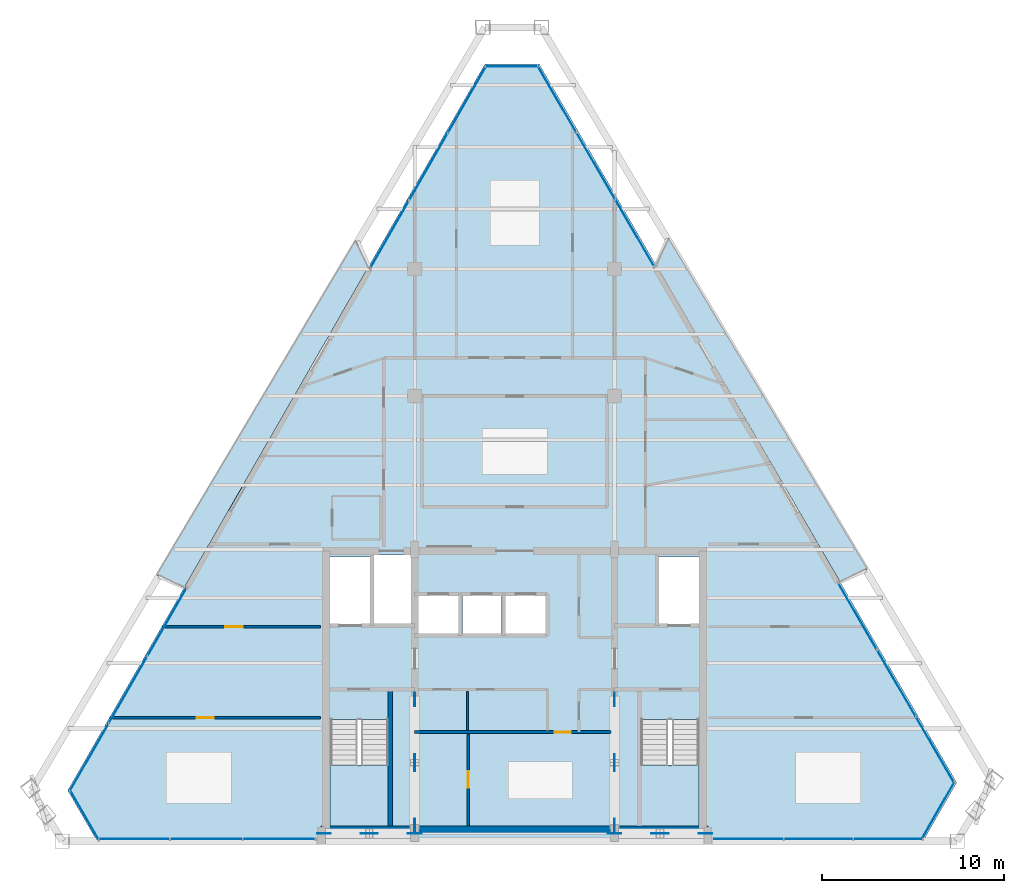
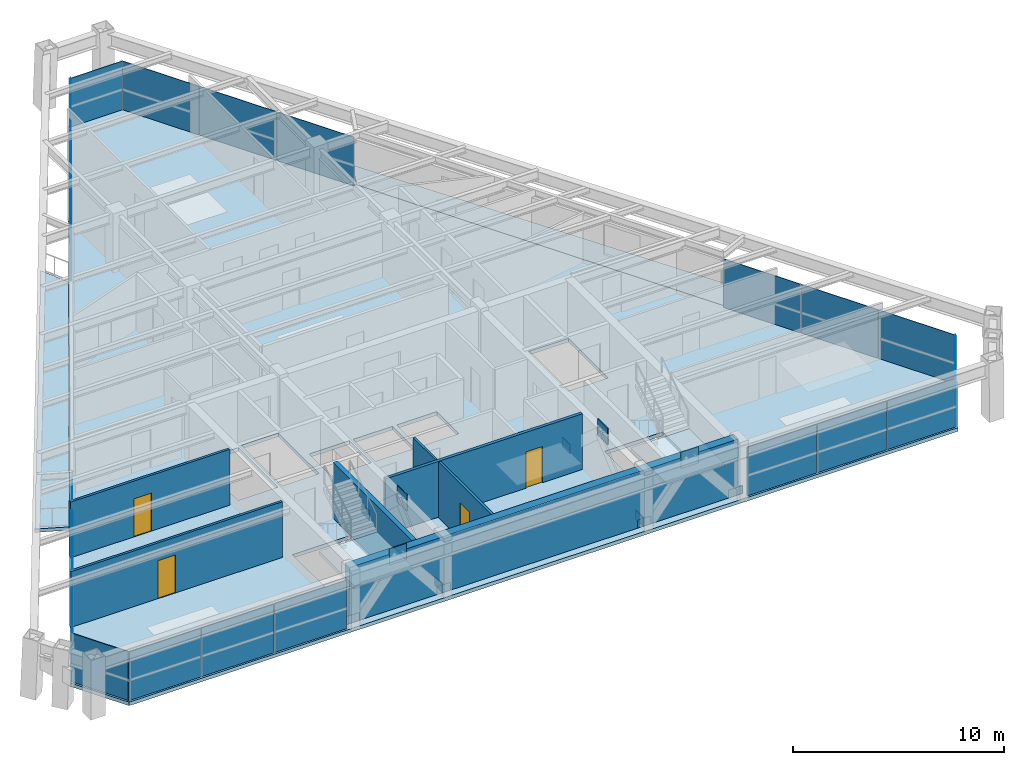
# One storey, part 8 of 13: 33 plates, 7 walls, 5 slabs, 4 doors, 4 openings, 11 elements without a shape of their own.
"""IFC4 building model written with IfcOpenShell, lengths in metres."""

from ifc_helpers import new_model, si_unit, direction, frame, frame_2d, origin, origin_2d, place, context, subcontext, project, spatial, polyline, rectangle, outline, extrude, source, transform, mapped, material, layer, layer_set, type_object, type_shapes, element, fill, aggregate, save


model = new_model("IFC4")

# Units and contexts
model_context = context("Model", 3, precision=1e-05, world=origin(), true_north=direction((0.0, 1.0)))
body_context = subcontext(model_context, "Body", "Model", "MODEL_VIEW")
ifc_project = project(units=[si_unit("LENGTHUNIT", "METRE"), si_unit("AREAUNIT", "SQUARE_METRE"), si_unit("VOLUMEUNIT", "CUBIC_METRE"), si_unit("PLANEANGLEUNIT", "RADIAN"), si_unit("MASSUNIT", "GRAM", prefix="KILO")], contexts=[model_context])

# Site, building, storey
site_placement = place(None, origin())
site = spatial("IfcSite", under=ifc_project, at=site_placement, CompositionType="ELEMENT")
building_placement = place(site_placement, origin())
building = spatial("IfcBuilding", under=site, at=building_placement, Name="Varnakhor Terracotta Tower", CompositionType="ELEMENT")
storey_placement = place(building_placement, frame((0.0, 0.0, 290.25)))
storey = spatial("IfcBuildingStorey", under=building, at=storey_placement, Name="L76", CompositionType="ELEMENT", Elevation=290.25)

# Slab
ifc_material_1 = material(Name="Concrete C40/50", Category="concrete")
ifc_layer_1 = layer(ifc_material_1, 0.2099609375, Name="Concrete C40/50")
ifc_layer_set_1 = layer_set([ifc_layer_1], Name="Concrete C40/50")
slab_type_1 = type_object("IfcSlabType", Name="SLB-HTL-210", PredefinedType="FLOOR", material=ifc_layer_set_1)
slab_1_placement = place(storey_placement, frame((0.0, 0.0, -0.2099609375)))
element("IfcSlab", 1, at=slab_1_placement, inside=storey, type_object=slab_type_1, Name="L76 Structural Floor Slab", PredefinedType="FLOOR", context=body_context, shape_type="SweptSolid", body=[
    extrude(outline(polyline([(-24.601318359375, 2.79248046875), (-1.6435546875, 42.765380859375), (1.3544921875, 42.765380859375), (24.330078125, 3.22705078125), (22.476806640625, 0.0), (-22.978759765625, 0.0), (-24.601318359375, 2.79248046875)]), holes=[polyline([(-6.949951171875, 0.85009765625), (-6.949951171875, 6.695068359375), (-10.14990234375, 6.695068359375), (-10.14990234375, 0.85009765625), (-6.949951171875, 0.85009765625)]), polyline([(10.14990234375, 0.85009765625), (10.14990234375, 6.695068359375), (6.949951171875, 6.695068359375), (6.949951171875, 0.85009765625), (10.14990234375, 0.85009765625)]), polyline([(-3.10009765625, 11.419921875), (-3.10009765625, 13.52001953125), (-5.300048828125, 13.52001953125), (-5.300048828125, 11.419921875), (-3.10009765625, 11.419921875)]), polyline([(-0.719970703125, 11.419921875), (-0.719970703125, 13.52001953125), (-2.8798828125, 13.52001953125), (-2.8798828125, 11.419921875), (-0.719970703125, 11.419921875)]), polyline([(1.699951171875, 11.419921875), (1.699951171875, 13.52001953125), (-0.5, 13.52001953125), (-0.5, 11.419921875), (1.699951171875, 11.419921875)]), polyline([(-7.949951171875, 11.8798828125), (-7.949951171875, 15.64990234375), (-10.14990234375, 15.64990234375), (-10.14990234375, 11.8798828125), (-7.949951171875, 11.8798828125)]), polyline([(10.14990234375, 11.8798828125), (10.14990234375, 15.64990234375), (7.949951171875, 15.64990234375), (7.949951171875, 11.8798828125), (10.14990234375, 11.8798828125)]), polyline([(-5.699951171875, 11.8798828125), (-5.699951171875, 15.75), (-7.72998046875, 15.75), (-7.72998046875, 11.8798828125), (-5.699951171875, 11.8798828125)])]), origin(), (0.0, 0.0, 1.0), 0.2099609375),
])

# Stair, slab
stair_type = type_object("IfcStairType", Name="STR-CORE-HOTEL-1500", PredefinedType="HALF_TURN_STAIR", material=ifc_material_1)
stair_1_placement = place(storey_placement, origin())
stair_1 = element("IfcStair", 2, at=stair_1_placement, inside=storey, type_object=stair_type, Name="L76 Core Exit Stair ST-1", PredefinedType="HALF_TURN_STAIR")
ifc_layer_2 = layer(ifc_material_1, 0.179931640625, Name="Concrete C40/50")
ifc_layer_set_2 = layer_set([ifc_layer_2], Name="Concrete C40/50")
slab_type_2 = type_object("IfcSlabType", Name="SLB-LANDING-180", PredefinedType="LANDING", material=ifc_layer_set_2)
slab_2_placement = place(storey_placement, frame((0.0, 0.0, 1.52490234375)))
slab_2 = element("IfcSlab", 3, at=slab_2_placement, type_object=slab_type_2, Name="ST-1 landing 1", PredefinedType="LANDING", context=body_context, shape_type="SweptSolid", body=[
    extrude(outline(polyline([(-10.14990234375, 4.18994140625), (-10.14990234375, 0.85009765625), (-6.949951171875, 0.85009765625), (-6.949951171875, 4.18994140625), (-10.14990234375, 4.18994140625)])), origin(), (0.0, 0.0, 1.0), 0.2001953125),
])
aggregate(stair_1, [slab_2])

stair_2_placement = place(storey_placement, origin())
stair_2 = element("IfcStair", 4, at=stair_2_placement, inside=storey, type_object=stair_type, Name="L76 Core Exit Stair ST-2", PredefinedType="HALF_TURN_STAIR")
slab_3_placement = place(storey_placement, frame((0.0, 0.0, 1.52490234375)))
slab_3 = element("IfcSlab", 5, at=slab_3_placement, type_object=slab_type_2, Name="ST-2 landing 1", PredefinedType="LANDING", context=body_context, shape_type="SweptSolid", body=[
    extrude(outline(polyline([(6.949951171875, 4.18994140625), (6.949951171875, 0.85009765625), (10.14990234375, 0.85009765625), (10.14990234375, 4.18994140625), (6.949951171875, 4.18994140625)])), origin(), (0.0, 0.0, 1.0), 0.2001953125),
])
aggregate(stair_2, [slab_3])

# Slabs
ifc_layer_3 = layer(ifc_material_1, 0.195068359375, Name="Concrete C40/50")
ifc_layer_set_3 = layer_set([ifc_layer_3], Name="Concrete C40/50")
slab_type_3 = type_object("IfcSlabType", Name="SLB-LOGGIA-EXT-195", PredefinedType="FLOOR", material=ifc_layer_set_3)
slab_4_placement = place(storey_placement, frame((0.0, 0.0, -0.195068359375)))
element("IfcSlab", 6, at=slab_4_placement, inside=storey, type_object=slab_type_3, Name="L76 E Recessed Outdoor Loggia Slab", PredefinedType="FLOOR", context=body_context, shape_type="SweptSolid", body=[
    extrude(outline(polyline([(8.450439453125, 33.197021484375), (19.403564453125, 14.975341796875), (17.89697265625, 14.2978515625), (7.78759765625, 31.694580078125), (8.450439453125, 33.197021484375)])), origin(), (0.0, 0.0, 1.0), 0.195068359375),
])
slab_5_placement = place(storey_placement, frame((0.0, 0.0, -0.195068359375)))
element("IfcSlab", 7, at=slab_5_placement, inside=storey, type_object=slab_type_3, Name="L76 W Recessed Outdoor Loggia Slab", PredefinedType="FLOOR", context=body_context, shape_type="SweptSolid", body=[
    extrude(outline(polyline([(-19.695068359375, 14.64794921875), (-8.740478515625, 33.069580078125), (-8.07177734375, 31.572998046875), (-11.897216796875, 24.912353515625), (-18.173095703125, 13.985107421875), (-19.695068359375, 14.64794921875)])), origin(), (0.0, 0.0, 1.0), 0.195068359375),
])

# Plates
ifc_material_2 = material(Name="Steel S460", Category="steel")
ifc_layer_4 = layer(ifc_material_2, 0.050048828125, Name="Steel S460")
ifc_layer_set_4 = layer_set([ifc_layer_4], Name="Steel S460")
plate_type_1 = type_object("IfcPlateType", Name="PLT-GUSSET-50", PredefinedType="USERDEFINED", material=ifc_layer_set_4)
shared_shape_1 = source(origin(), body_context, "Body", "SweptSolid", [
    extrude(rectangle(XDim=0.75, YDim=0.0400390625, at=origin_2d()), origin(), (0.0, 0.0, 1.0), 0.550048828125),
])
type_shapes(plate_type_1, [shared_shape_1])
for number, where, z_axis, x_axis, name in (
    (8, (-10.5, 0.419921875, -0.09521484375), (0.0, 0.0, 1.0), (1.0, 0.0, 0.0), "L76 Core Brace Embed Plate CSWA"),
    (9, (-5.5, 0.419921875, -0.09521484375), (0.0, 0.0, 1.0), (1.0, 0.0, 0.0), "L76 Core Brace Embed Plate CSWB"),
    (10, (5.5, 0.419921875, -0.09521484375), (0.0, 0.0, 1.0), (1.0, 0.0, 0.0), "L76 Core Brace Embed Plate CSEA"),
    (11, (10.5, 0.419921875, -0.09521484375), (0.0, 0.0, 1.0), (1.0, 0.0, 0.0), "L76 Core Brace Embed Plate CSEB"),
    (12, (-5.5, 0.85009765625, -0.09521484375), (0.0, 0.0, 1.0), (0.0, 1.0, 0.0), "L76 Core Brace Embed Plate CWWA"),
    (13, (-5.5, 7.800048828125, -0.09521484375), (0.0, 0.0, 1.0), (0.0, 1.0, 0.0), "L76 Core Brace Embed Plate CWWB"),
    (14, (5.5, 0.85009765625, -0.09521484375), (0.0, 0.0, 1.0), (0.0, 1.0, 0.0), "L76 Core Brace Embed Plate CWEA"),
    (15, (5.5, 7.800048828125, -0.09521484375), (0.0, 0.0, 1.0), (0.0, 1.0, 0.0), "L76 Core Brace Embed Plate CWEB"),
):
    element("IfcPlate", number, at=place(storey_placement, frame(where, z_axis=z_axis, x_axis=x_axis)), inside=storey, type_object=plate_type_1, Name=name, ObjectType="GUSSET PLATE", PredefinedType="USERDEFINED", context=body_context, shape_type="MappedRepresentation", body=[
        mapped(shared_shape_1, transform((0.0, 0.0, 0.0), scale=1.0)),
    ])
shared_shape_2 = source(origin(), body_context, "Body", "SweptSolid", [
    extrude(rectangle(XDim=0.949951171875, YDim=0.044921875, at=origin_2d()), origin(), (0.0, 0.0, 1.0), 0.949951171875),
])
for number, where, z_axis, x_axis, name in (
    (16, (-8.0, 0.419921875, 2.615234375), (0.0, 0.0, 1.0), (1.0, 0.0, 0.0), "L76 Core Brace Apex Gusset CSW"),
    (17, (8.0, 0.419921875, 2.615234375), (0.0, 0.0, 1.0), (1.0, 0.0, 0.0), "L76 Core Brace Apex Gusset CSE"),
    (18, (-5.5, 4.324951171875, 2.615234375), (0.0, 0.0, 1.0), (0.0, 1.0, 0.0), "L76 Core Brace Apex Gusset CWW"),
    (19, (5.5, 4.324951171875, 2.615234375), (0.0, 0.0, 1.0), (0.0, 1.0, 0.0), "L76 Core Brace Apex Gusset CWE"),
):
    element("IfcPlate", number, at=place(storey_placement, frame(where, z_axis=z_axis, x_axis=x_axis)), inside=storey, type_object=plate_type_1, Name=name, ObjectType="GUSSET PLATE", PredefinedType="USERDEFINED", context=body_context, shape_type="MappedRepresentation", body=[
        mapped(shared_shape_2, transform((0.0, 0.0, 0.0), scale=1.0)),
    ])

# Curtain wall, plates
ifc_material_3 = material(Name="Anodised Aluminium Curtain Wall System", Category="aluminium")
curtain_wall_type = type_object("IfcCurtainWallType", Name="CW-SYS-HOTEL-LOGGIA", PredefinedType="NOTDEFINED", material=ifc_material_3)
curtain_wall_1_placement = place(storey_placement, origin())
curtain_wall_1 = element("IfcCurtainWall", 20, at=curtain_wall_1_placement, inside=storey, type_object=curtain_wall_type, Name="L76 W Facet Curtain Wall 1", PredefinedType="NOTDEFINED")
ifc_material_4 = material(Name="Solar-Control Low-E Insulated Glass Panel", Category="glass")
ifc_layer_5 = layer(ifc_material_4, 0.033935546875, Name="Solar-Control Low-E Insulated Glass Panel")
ifc_layer_set_5 = layer_set([ifc_layer_5], Name="Solar-Control Low-E Insulated Glass Panel")
plate_type_2 = type_object("IfcPlateType", Name="CWP-04", PredefinedType="CURTAIN_PANEL", material=ifc_layer_set_5)
shared_shape_3 = source(origin(), body_context, "Body", "SweptSolid", [
    extrude(rectangle(XDim=4.242431640625, YDim=0.035888671875, at=origin_2d()), origin(), (0.0, 0.0, 1.0), 2.820068359375),
])
plate_1_placement = place(storey_placement, frame((-23.416015625, 4.615478515625, 0.0), z_axis=(0.0, 0.0, 1.0), x_axis=(0.498033765367, 0.867157637662, 0.0)))
plate_1 = element("IfcPlate", 21, at=plate_1_placement, type_object=plate_type_2, Name="L76 W Facet Curtain Wall 1 Glazed Panel 1", PredefinedType="CURTAIN_PANEL", context=body_context, shape_type="MappedRepresentation", body=[
    mapped(shared_shape_3, transform((0.0, 0.0, 0.0), scale=1.0)),
])
plate_2_placement = place(storey_placement, frame((-21.283203125, 8.3291015625, 0.0), z_axis=(0.0, 0.0, 1.0), x_axis=(0.498033765367, 0.867157637662, 0.0)))
plate_2 = element("IfcPlate", 22, at=plate_2_placement, type_object=plate_type_2, Name="L76 W Facet Curtain Wall 1 Glazed Panel 2", PredefinedType="CURTAIN_PANEL", context=body_context, shape_type="MappedRepresentation", body=[
    mapped(shared_shape_3, transform((0.0, 0.0, 0.0), scale=1.0)),
])
shared_shape_4 = source(origin(), body_context, "Body", "SweptSolid", [
    extrude(rectangle(XDim=4.2421875, YDim=0.035888671875, at=origin_2d()), origin(), (0.0, 0.0, 1.0), 2.820068359375),
])
plate_3_placement = place(storey_placement, frame((-19.150390625, 12.04248046875, 0.0), z_axis=(0.0, 0.0, 1.0), x_axis=(0.498033765367, 0.867157637662, 0.0)))
plate_3 = element("IfcPlate", 23, at=plate_3_placement, type_object=plate_type_2, Name="L76 W Facet Curtain Wall 1 Glazed Panel 3", PredefinedType="CURTAIN_PANEL", context=body_context, shape_type="MappedRepresentation", body=[
    mapped(shared_shape_4, transform((0.0, 0.0, 0.0), scale=1.0)),
])
aggregate(curtain_wall_1, [plate_1, plate_2, plate_3])

curtain_wall_2_placement = place(storey_placement, origin())
curtain_wall_2 = element("IfcCurtainWall", 24, at=curtain_wall_2_placement, inside=storey, type_object=curtain_wall_type, Name="L76 W Facet Curtain Wall 2", PredefinedType="NOTDEFINED")
plate_4_placement = place(storey_placement, frame((-6.88623046875, 33.39599609375, 0.0), z_axis=(0.0, 0.0, 1.0), x_axis=(0.498033765367, 0.867157637662, 0.0)))
plate_4 = element("IfcPlate", 25, at=plate_4_placement, type_object=plate_type_2, Name="L76 W Facet Curtain Wall 2 Glazed Panel 1", PredefinedType="CURTAIN_PANEL", context=body_context, shape_type="MappedRepresentation", body=[
    mapped(shared_shape_4, transform((0.0, 0.0, 0.0), scale=1.0)),
])
plate_5_placement = place(storey_placement, frame((-4.75341796875, 37.109375, 0.0), z_axis=(0.0, 0.0, 1.0), x_axis=(0.498033765367, 0.867157637662, 0.0)))
plate_5 = element("IfcPlate", 26, at=plate_5_placement, type_object=plate_type_2, Name="L76 W Facet Curtain Wall 2 Glazed Panel 2", PredefinedType="CURTAIN_PANEL", context=body_context, shape_type="MappedRepresentation", body=[
    mapped(shared_shape_4, transform((0.0, 0.0, 0.0), scale=1.0)),
])
plate_6_placement = place(storey_placement, frame((-2.620849609375, 40.822998046875, 0.0), z_axis=(0.0, 0.0, 1.0), x_axis=(0.498033765367, 0.867157637662, 0.0)))
plate_6 = element("IfcPlate", 27, at=plate_6_placement, type_object=plate_type_2, Name="L76 W Facet Curtain Wall 2 Glazed Panel 3", PredefinedType="CURTAIN_PANEL", context=body_context, shape_type="MappedRepresentation", body=[
    mapped(shared_shape_4, transform((0.0, 0.0, 0.0), scale=1.0)),
])
aggregate(curtain_wall_2, [plate_4, plate_5, plate_6])

# Curtain wall, plate
curtain_wall_3_placement = place(storey_placement, origin())
curtain_wall_3 = element("IfcCurtainWall", 28, at=curtain_wall_3_placement, inside=storey, type_object=curtain_wall_type, Name="L76 Facet Curtain Wall 2", PredefinedType="NOTDEFINED")
shared_shape_5 = source(origin(), body_context, "Body", "SweptSolid", [
    extrude(rectangle(XDim=2.89794921875, YDim=0.035888671875, at=origin_2d()), origin(), (0.0, 0.0, 1.0), 2.820068359375),
])
plate_7_placement = place(storey_placement, frame((-0.14453125, 42.6455078125, 0.0), z_axis=(0.0, 0.0, 1.0), x_axis=(1.0, 0.0, 0.0)))
plate_7 = element("IfcPlate", 29, at=plate_7_placement, type_object=plate_type_2, Name="L76 Facet Curtain Wall 2 Glazed Panel 1", PredefinedType="CURTAIN_PANEL", context=body_context, shape_type="MappedRepresentation", body=[
    mapped(shared_shape_5, transform((0.0, 0.0, 0.0), scale=1.0)),
])
aggregate(curtain_wall_3, [plate_7])

# Curtain wall, plates
curtain_wall_4_placement = place(storey_placement, origin())
curtain_wall_4 = element("IfcCurtainWall", 30, at=curtain_wall_4_placement, inside=storey, type_object=curtain_wall_type, Name="L76 E Facet Curtain Wall 1", PredefinedType="NOTDEFINED")
shared_shape_6 = source(origin(), body_context, "Body", "SweptSolid", [
    extrude(rectangle(XDim=4.2080078125, YDim=0.035888671875, at=origin_2d()), origin(), (0.0, 0.0, 1.0), 2.820068359375),
])
plate_8_placement = place(storey_placement, frame((2.3330078125, 40.8427734375, 0.0), z_axis=(0.0, 0.0, 1.0), x_axis=(0.502431536949, -0.864616996525, 0.0)))
plate_8 = element("IfcPlate", 31, at=plate_8_placement, type_object=plate_type_2, Name="L76 E Facet Curtain Wall 1 Glazed Panel 1", PredefinedType="CURTAIN_PANEL", context=body_context, shape_type="MappedRepresentation", body=[
    mapped(shared_shape_6, transform((0.0, 0.0, 0.0), scale=1.0)),
])
plate_9_placement = place(storey_placement, frame((4.46728515625, 37.169921875, 0.0), z_axis=(0.0, 0.0, 1.0), x_axis=(0.502431536949, -0.864616996525, 0.0)))
plate_9 = element("IfcPlate", 32, at=plate_9_placement, type_object=plate_type_2, Name="L76 E Facet Curtain Wall 1 Glazed Panel 2", PredefinedType="CURTAIN_PANEL", context=body_context, shape_type="MappedRepresentation", body=[
    mapped(shared_shape_6, transform((0.0, 0.0, 0.0), scale=1.0)),
])
plate_10_placement = place(storey_placement, frame((6.6015625, 33.496826171875, 0.0), z_axis=(0.0, 0.0, 1.0), x_axis=(0.502431536949, -0.864616996525, 0.0)))
plate_10 = element("IfcPlate", 33, at=plate_10_placement, type_object=plate_type_2, Name="L76 E Facet Curtain Wall 1 Glazed Panel 3", PredefinedType="CURTAIN_PANEL", context=body_context, shape_type="MappedRepresentation", body=[
    mapped(shared_shape_6, transform((0.0, 0.0, 0.0), scale=1.0)),
])
aggregate(curtain_wall_4, [plate_8, plate_9, plate_10])

curtain_wall_5_placement = place(storey_placement, origin())
curtain_wall_5 = element("IfcCurtainWall", 34, at=curtain_wall_5_placement, inside=storey, type_object=curtain_wall_type, Name="L76 E Facet Curtain Wall 2", PredefinedType="NOTDEFINED")
plate_11_placement = place(storey_placement, frame((18.87548828125, 12.375, 0.0), z_axis=(0.0, 0.0, 1.0), x_axis=(0.502431536949, -0.864616996525, 0.0)))
plate_11 = element("IfcPlate", 35, at=plate_11_placement, type_object=plate_type_2, Name="L76 E Facet Curtain Wall 2 Glazed Panel 1", PredefinedType="CURTAIN_PANEL", context=body_context, shape_type="MappedRepresentation", body=[
    mapped(shared_shape_6, transform((0.0, 0.0, 0.0), scale=1.0)),
])
plate_12_placement = place(storey_placement, frame((21.009765625, 8.7021484375, 0.0), z_axis=(0.0, 0.0, 1.0), x_axis=(0.502431536949, -0.864616996525, 0.0)))
plate_12 = element("IfcPlate", 36, at=plate_12_placement, type_object=plate_type_2, Name="L76 E Facet Curtain Wall 2 Glazed Panel 2", PredefinedType="CURTAIN_PANEL", context=body_context, shape_type="MappedRepresentation", body=[
    mapped(shared_shape_6, transform((0.0, 0.0, 0.0), scale=1.0)),
])
plate_13_placement = place(storey_placement, frame((23.14404296875, 5.029052734375, 0.0), z_axis=(0.0, 0.0, 1.0), x_axis=(0.502431536949, -0.864616996525, 0.0)))
plate_13 = element("IfcPlate", 37, at=plate_13_placement, type_object=plate_type_2, Name="L76 E Facet Curtain Wall 2 Glazed Panel 3", PredefinedType="CURTAIN_PANEL", context=body_context, shape_type="MappedRepresentation", body=[
    mapped(shared_shape_6, transform((0.0, 0.0, 0.0), scale=1.0)),
])
aggregate(curtain_wall_5, [plate_11, plate_12, plate_13])

# Curtain wall, plate
curtain_wall_6_placement = place(storey_placement, origin())
curtain_wall_6 = element("IfcCurtainWall", 38, at=curtain_wall_6_placement, inside=storey, type_object=curtain_wall_type, Name="L76 Facet Curtain Wall 4", PredefinedType="NOTDEFINED")
shared_shape_7 = source(origin(), body_context, "Body", "SweptSolid", [
    extrude(rectangle(XDim=3.621337890625, YDim=0.035888671875, at=origin_2d()), origin(), (0.0, 0.0, 1.0), 2.820068359375),
])
plate_14_placement = place(storey_placement, frame((23.29931640625, 1.67333984375, 0.0), z_axis=(0.0, 0.0, 1.0), x_axis=(-0.498048900047, -0.8671489452, 0.0)))
plate_14 = element("IfcPlate", 39, at=plate_14_placement, type_object=plate_type_2, Name="L76 Facet Curtain Wall 4 Glazed Panel 1", PredefinedType="CURTAIN_PANEL", context=body_context, shape_type="MappedRepresentation", body=[
    mapped(shared_shape_7, transform((0.0, 0.0, 0.0), scale=1.0)),
])
aggregate(curtain_wall_6, [plate_14])

# Curtain wall, plates
curtain_wall_7_placement = place(storey_placement, origin())
curtain_wall_7 = element("IfcCurtainWall", 40, at=curtain_wall_7_placement, inside=storey, type_object=curtain_wall_type, Name="L76 South Wing Curtain Wall SSE", PredefinedType="NOTDEFINED")
shared_shape_8 = source(origin(), body_context, "Body", "SweptSolid", [
    extrude(rectangle(XDim=3.792236328125, YDim=0.035888671875, at=origin_2d()), origin(), (0.0, 0.0, 1.0), 2.820068359375),
])
plate_15_placement = place(storey_placement, frame((20.550537109375, 0.1201171875, 0.0), z_axis=(0.0, 0.0, 1.0), x_axis=(-1.0, 0.0, 0.0)))
plate_15 = element("IfcPlate", 41, at=plate_15_placement, type_object=plate_type_2, Name="L76 South Wing Curtain Wall SSE Glazed Panel 1", PredefinedType="CURTAIN_PANEL", context=body_context, shape_type="MappedRepresentation", body=[
    mapped(shared_shape_8, transform((0.0, 0.0, 0.0), scale=1.0)),
])
plate_16_placement = place(storey_placement, frame((16.718505859375, 0.1201171875, 0.0), z_axis=(0.0, 0.0, 1.0), x_axis=(-1.0, 0.0, 0.0)))
plate_16 = element("IfcPlate", 42, at=plate_16_placement, type_object=plate_type_2, Name="L76 South Wing Curtain Wall SSE Glazed Panel 2", PredefinedType="CURTAIN_PANEL", context=body_context, shape_type="MappedRepresentation", body=[
    mapped(shared_shape_8, transform((0.0, 0.0, 0.0), scale=1.0)),
])
plate_17_placement = place(storey_placement, frame((12.885986328125, 0.1201171875, 0.0), z_axis=(0.0, 0.0, 1.0), x_axis=(-1.0, 0.0, 0.0)))
plate_17 = element("IfcPlate", 43, at=plate_17_placement, type_object=plate_type_2, Name="L76 South Wing Curtain Wall SSE Glazed Panel 3", PredefinedType="CURTAIN_PANEL", context=body_context, shape_type="MappedRepresentation", body=[
    mapped(shared_shape_8, transform((0.0, 0.0, 0.0), scale=1.0)),
])
aggregate(curtain_wall_7, [plate_15, plate_16, plate_17])

curtain_wall_8_placement = place(storey_placement, origin())
curtain_wall_8 = element("IfcCurtainWall", 44, at=curtain_wall_8_placement, inside=storey, type_object=curtain_wall_type, Name="L76 South Wing Curtain Wall SSW", PredefinedType="NOTDEFINED")
shared_shape_9 = source(origin(), body_context, "Body", "SweptSolid", [
    extrude(rectangle(XDim=3.959716796875, YDim=0.035888671875, at=origin_2d()), origin(), (0.0, 0.0, 1.0), 2.820068359375),
])
plate_18_placement = place(storey_placement, frame((-12.9697265625, 0.1201171875, 0.0), z_axis=(0.0, 0.0, 1.0), x_axis=(-1.0, 0.0, 0.0)))
plate_18 = element("IfcPlate", 45, at=plate_18_placement, type_object=plate_type_2, Name="L76 South Wing Curtain Wall SSW Glazed Panel 1", PredefinedType="CURTAIN_PANEL", context=body_context, shape_type="MappedRepresentation", body=[
    mapped(shared_shape_9, transform((0.0, 0.0, 0.0), scale=1.0)),
])
plate_19_placement = place(storey_placement, frame((-20.968994140625, 0.1201171875, 0.0), z_axis=(0.0, 0.0, 1.0), x_axis=(-1.0, 0.0, 0.0)))
plate_19 = element("IfcPlate", 46, at=plate_19_placement, type_object=plate_type_2, Name="L76 South Wing Curtain Wall SSW Glazed Panel 3", PredefinedType="CURTAIN_PANEL", context=body_context, shape_type="MappedRepresentation", body=[
    mapped(shared_shape_9, transform((0.0, 0.0, 0.0), scale=1.0)),
])
shared_shape_10 = source(origin(), body_context, "Body", "SweptSolid", [
    extrude(rectangle(XDim=3.95947265625, YDim=0.035888671875, at=origin_2d()), origin(), (0.0, 0.0, 1.0), 2.820068359375),
])
plate_20_placement = place(storey_placement, frame((-16.96923828125, 0.1201171875, 0.0), z_axis=(0.0, 0.0, 1.0), x_axis=(-1.0, 0.0, 0.0)))
plate_20 = element("IfcPlate", 47, at=plate_20_placement, type_object=plate_type_2, Name="L76 South Wing Curtain Wall SSW Glazed Panel 2", PredefinedType="CURTAIN_PANEL", context=body_context, shape_type="MappedRepresentation", body=[
    mapped(shared_shape_10, transform((0.0, 0.0, 0.0), scale=1.0)),
])
aggregate(curtain_wall_8, [plate_18, plate_20, plate_19])

# Curtain wall, plate
curtain_wall_9_placement = place(storey_placement, origin())
curtain_wall_9 = element("IfcCurtainWall", 48, at=curtain_wall_9_placement, inside=storey, type_object=curtain_wall_type, Name="L76 Facet Curtain Wall 6", PredefinedType="NOTDEFINED")
shared_shape_11 = source(origin(), body_context, "Body", "SweptSolid", [
    extrude(rectangle(XDim=3.1298828125, YDim=0.035888671875, at=origin_2d()), origin(), (0.0, 0.0, 1.0), 2.820068359375),
])
plate_21_placement = place(storey_placement, frame((-23.686279296875, 1.45654296875, 0.0), z_axis=(0.0, 0.0, 1.0), x_axis=(-0.502416446459, 0.864625765478, 0.0)))
plate_21 = element("IfcPlate", 49, at=plate_21_placement, type_object=plate_type_2, Name="L76 Facet Curtain Wall 6 Glazed Panel 1", PredefinedType="CURTAIN_PANEL", context=body_context, shape_type="MappedRepresentation", body=[
    mapped(shared_shape_11, transform((0.0, 0.0, 0.0), scale=1.0)),
])
aggregate(curtain_wall_9, [plate_21])

# Wall
ifc_material_5 = material(Name="Concrete C50/60", Category="concrete")
ifc_layer_6 = layer(ifc_material_5, 0.449951171875, Name="Concrete C50/60")
ifc_layer_set_6 = layer_set([ifc_layer_6], Name="Concrete C50/60")
wall_type_1 = type_object("IfcWallType", Name="WAL-CORE-450", PredefinedType="SHEAR", material=ifc_layer_set_6)
wall_1_placement = place(storey_placement, frame((-10.64990234375, 0.625, 0.0), z_axis=(0.0, 0.0, 1.0), x_axis=(1.0, 0.0, 0.0)))
element("IfcWall", 50, at=wall_1_placement, inside=storey, type_object=wall_type_1, Name="L76 South Core Shear Wall", PredefinedType="SHEAR", context=body_context, shape_type="SweptSolid", body=[
    extrude(rectangle(XDim=21.2998046875, YDim=0.449951171875, at=frame_2d((10.64990234375, 0.0))), origin(), (0.0, 0.0, 1.0), 3.239990234375),
])

# Wall, opening, door
ifc_material_6 = material(Name="Acoustic Hotel Room Partition", Category="gypsum")
ifc_layer_7 = layer(ifc_material_6, 0.1298828125, Name="Acoustic Hotel Room Partition")
ifc_layer_set_7 = layer_set([ifc_layer_7], Name="Acoustic Hotel Room Partition")
wall_type_2 = type_object("IfcWallType", Name="WAL-PART-130", PredefinedType="PARTITIONING", material=ifc_layer_set_7)
wall_2_placement = place(storey_placement, frame((-22.288330078125, 6.800048828125, 0.0), z_axis=(0.0, 0.0, 1.0), x_axis=(1.0, 0.0, 0.0)))
wall_2 = element("IfcWall", 51, at=wall_2_placement, inside=storey, type_object=wall_type_2, Name="L76 SW Key Split 1", PredefinedType="PARTITIONING", context=body_context, shape_type="SweptSolid", body=[
    extrude(rectangle(XDim=11.6083984375, YDim=0.1298828125, at=frame_2d((5.80419921875, 0.0))), origin(), (0.0, 0.0, 1.0), 3.23193359375),
])
opening_1_placement = place(wall_2_placement, frame((4.78271484375, 0.0, 0.0)))
opening_1 = element("IfcOpeningElement", 52, at=opening_1_placement, cuts=wall_2, Name="Opening DR-94", PredefinedType="OPENING", context=body_context, shape_type="SweptSolid", body=[
    extrude(rectangle(XDim=0.949951171875, YDim=2.199951171875, at=frame_2d((0.47509765625, 1.10009765625))), frame((0.0, 0.074951171875, 0.0), z_axis=(0.0, -1.0, 0.0), x_axis=(1.0, 0.0, 0.0)), (0.0, 0.0, 1.0), 0.14990234375),
])
ifc_material_7 = material(Name="Acoustic Glazed-Vision Timber Office Door", Category="wood")
door_type_1 = type_object("IfcDoorType", Name="DR-OFF-950X2200", OperationType="NOTDEFINED", PredefinedType="DOOR", material=ifc_material_7)
shared_shape_12 = source(origin(), body_context, "Body", "SweptSolid", [
    extrude(rectangle(XDim=0.949951171875, YDim=2.199951171875, at=frame_2d((0.47509765625, 1.10009765625))), frame((0.0, 0.02490234375, 0.0), z_axis=(0.0, -1.0, 0.0), x_axis=(1.0, 0.0, 0.0)), (0.0, 0.0, 1.0), 0.050048828125),
])
type_shapes(door_type_1, [shared_shape_12])
door_1_placement = place(opening_1_placement, origin())
door_1 = element("IfcDoor", 53, at=door_1_placement, inside=storey, type_object=door_type_1, Name="L76 SW Suite Connect Door 1", OperationType="SINGLE_SWING_LEFT", OverallHeight=2.199951171875, OverallWidth=0.949951171875, PredefinedType="DOOR", context=body_context, shape_type="MappedRepresentation", body=[
    mapped(shared_shape_12, transform((0.0, 0.0, 0.0), scale=1.0)),
])
fill(opening_1, door_1)

wall_3_placement = place(storey_placement, frame((-19.41650390625, 11.800048828125, 0.0), z_axis=(0.0, 0.0, 1.0), x_axis=(1.0, 0.0, 0.0)))
wall_3 = element("IfcWall", 54, at=wall_3_placement, inside=storey, type_object=wall_type_2, Name="L76 SW Key Split 2", PredefinedType="PARTITIONING", context=body_context, shape_type="SweptSolid", body=[
    extrude(rectangle(XDim=8.736572265625, YDim=0.1298828125, at=frame_2d((4.3681640625, 0.0))), origin(), (0.0, 0.0, 1.0), 3.23193359375),
])
opening_2_placement = place(wall_3_placement, frame((3.490478515625, 0.0, 0.0)))
opening_2 = element("IfcOpeningElement", 55, at=opening_2_placement, cuts=wall_3, Name="Opening DR-94", PredefinedType="OPENING", context=body_context, shape_type="SweptSolid", body=[
    extrude(rectangle(XDim=0.949951171875, YDim=2.199951171875, at=frame_2d((0.47509765625, 1.10009765625))), frame((0.0, 0.074951171875, 0.0), z_axis=(0.0, -1.0, 0.0), x_axis=(1.0, 0.0, 0.0)), (0.0, 0.0, 1.0), 0.14990234375),
])
door_2_placement = place(opening_2_placement, origin())
door_2 = element("IfcDoor", 56, at=door_2_placement, inside=storey, type_object=door_type_1, Name="L76 SW Suite Connect Door 2", OperationType="SINGLE_SWING_RIGHT", OverallHeight=2.199951171875, OverallWidth=0.949951171875, PredefinedType="DOOR", context=body_context, shape_type="MappedRepresentation", body=[
    mapped(shared_shape_12, transform((0.0, 0.0, 0.0), scale=1.0)),
])
fill(opening_2, door_2)

# Walls
ifc_layer_8 = layer(ifc_material_1, 0.25, Name="Concrete C40/50")
ifc_layer_set_8 = layer_set([ifc_layer_8], Name="Concrete C40/50")
wall_type_3 = type_object("IfcWallType", Name="WAL-SHAFT-250", PredefinedType="SOLIDWALL", material=ifc_layer_set_8)
wall_4_placement = place(storey_placement, frame((-6.85009765625, 0.85009765625, 0.0), z_axis=(0.0, 0.0, 1.0), x_axis=(0.0, 1.0, 0.0)))
element("IfcWall", 57, at=wall_4_placement, inside=storey, type_object=wall_type_3, Name="L76 Stair ST-1 Bearing Shaft Wall", PredefinedType="SOLIDWALL", context=body_context, shape_type="SweptSolid", body=[
    extrude(rectangle(XDim=7.5, YDim=0.25, at=frame_2d((3.75, 0.0))), origin(), (0.0, 0.0, 1.0), 3.239990234375),
])
ifc_material_8 = material(Name="Acoustic Fire-Rated Partition", Category="gypsum")
ifc_layer_9 = layer(ifc_material_8, 0.114990234375, Name="Acoustic Fire-Rated Partition")
ifc_layer_set_9 = layer_set([ifc_layer_9], Name="Acoustic Fire-Rated Partition")
wall_type_4 = type_object("IfcWallType", Name="WAL-TENANCY-115", PredefinedType="PARTITIONING", material=ifc_layer_set_9)
wall_5_placement = place(storey_placement, frame((-2.60009765625, 6.10009765625, 0.0), z_axis=(0.0, 0.0, 1.0), x_axis=(0.0, 1.0, 0.0)))
element("IfcWall", 58, at=wall_5_placement, inside=storey, type_object=wall_type_4, Name="L76 Reclaimed Mid-Core Split Wall", PredefinedType="PARTITIONING", context=body_context, shape_type="SweptSolid", body=[
    extrude(rectangle(XDim=2.14990234375, YDim=0.114990234375, at=frame_2d((1.074951171875, 0.0))), origin(), (0.0, 0.0, 1.0), 3.23193359375),
])

# Wall, opening, door
ifc_layer_10 = layer(ifc_material_8, 0.139892578125, Name="Acoustic Fire-Rated Partition")
ifc_layer_set_10 = layer_set([ifc_layer_10], Name="Acoustic Fire-Rated Partition")
wall_type_5 = type_object("IfcWallType", Name="WAL-TENANCY-140", PredefinedType="PARTITIONING", material=ifc_layer_set_10)
wall_6_placement = place(storey_placement, frame((-2.550048828125, 0.85009765625, 0.0), z_axis=(0.0, 0.0, 1.0), x_axis=(0.0, 1.0, 0.0)))
wall_6 = element("IfcWall", 59, at=wall_6_placement, inside=storey, type_object=wall_type_5, Name="L76 Reclaimed Core Bay Split Wall", PredefinedType="PARTITIONING", context=body_context, shape_type="SweptSolid", body=[
    extrude(rectangle(XDim=5.02978515625, YDim=0.139892578125, at=frame_2d((2.514892578125, 0.0))), origin(), (0.0, 0.0, 1.0), 3.23193359375),
])
opening_3_placement = place(wall_6_placement, frame((2.10009765625, 0.0, 0.0)))
opening_3 = element("IfcOpeningElement", 60, at=opening_3_placement, cuts=wall_6, Name="Opening DR-67", PredefinedType="OPENING", context=body_context, shape_type="SweptSolid", body=[
    extrude(rectangle(XDim=0.89990234375, YDim=2.10009765625, at=frame_2d((0.449951171875, 1.050048828125))), frame((0.0, 0.080078125, 0.0), z_axis=(0.0, -1.0, 0.0), x_axis=(1.0, 0.0, 0.0)), (0.0, 0.0, 1.0), 0.159912109375),
])
ifc_material_9 = material(Name="Steel Service Riser Fire Door", Category="steel")
door_type_2 = type_object("IfcDoorType", Name="DR-RISER-900X2100", OperationType="NOTDEFINED", PredefinedType="DOOR", material=ifc_material_9)
shared_shape_13 = source(origin(), body_context, "Body", "SweptSolid", [
    extrude(rectangle(XDim=0.89990234375, YDim=2.10009765625, at=frame_2d((0.449951171875, 1.050048828125))), frame((0.0, 0.02490234375, 0.0), z_axis=(0.0, -1.0, 0.0), x_axis=(1.0, 0.0, 0.0)), (0.0, 0.0, 1.0), 0.050048828125),
])
type_shapes(door_type_2, [shared_shape_13])
door_3_placement = place(opening_3_placement, origin())
door_3 = element("IfcDoor", 61, at=door_3_placement, inside=storey, type_object=door_type_2, Name="L76 Core Inner Service Door", OperationType="SINGLE_SWING_RIGHT", OverallHeight=2.10009765625, OverallWidth=0.89990234375, PredefinedType="DOOR", context=body_context, shape_type="MappedRepresentation", body=[
    mapped(shared_shape_13, transform((0.0, 0.0, 0.0), scale=1.0)),
])
fill(opening_3, door_3)

ifc_layer_11 = layer(ifc_material_8, 0.1650390625, Name="Acoustic Fire-Rated Partition")
ifc_layer_set_11 = layer_set([ifc_layer_11], Name="Acoustic Fire-Rated Partition")
wall_type_6 = type_object("IfcWallType", Name="WAL-TENANCY-165", PredefinedType="PARTITIONING", material=ifc_layer_set_11)
wall_7_placement = place(storey_placement, frame((-5.5, 6.0, 0.0), z_axis=(0.0, 0.0, 1.0), x_axis=(1.0, 0.0, 0.0)))
wall_7 = element("IfcWall", 62, at=wall_7_placement, inside=storey, type_object=wall_type_6, Name="L76 Reclaimed Core Bay North Rated Wall", PredefinedType="PARTITIONING", context=body_context, shape_type="SweptSolid", body=[
    extrude(rectangle(XDim=10.800048828125, YDim=0.1650390625, at=frame_2d((5.39990234375, 0.0))), origin(), (0.0, 0.0, 1.0), 3.23193359375),
])
opening_4_placement = place(wall_7_placement, frame((7.699951171875, 0.0, 0.0)))
opening_4 = element("IfcOpeningElement", 63, at=opening_4_placement, cuts=wall_7, Name="Opening DR-67", PredefinedType="OPENING", context=body_context, shape_type="SweptSolid", body=[
    extrude(rectangle(XDim=0.89990234375, YDim=2.10009765625, at=frame_2d((0.449951171875, 1.050048828125))), frame((0.0, 0.092529296875, 0.0), z_axis=(0.0, -1.0, 0.0), x_axis=(1.0, 0.0, 0.0)), (0.0, 0.0, 1.0), 0.18505859375),
])
door_4_placement = place(opening_4_placement, origin())
door_4 = element("IfcDoor", 64, at=door_4_placement, inside=storey, type_object=door_type_2, Name="L76 Core Reclaimed Suite Door", OperationType="SINGLE_SWING_LEFT", OverallHeight=2.10009765625, OverallWidth=0.89990234375, PredefinedType="DOOR", context=body_context, shape_type="MappedRepresentation", body=[
    mapped(shared_shape_13, transform((0.0, 0.0, 0.0), scale=1.0)),
])
fill(opening_4, door_4)

save(model, "model.ifc")
